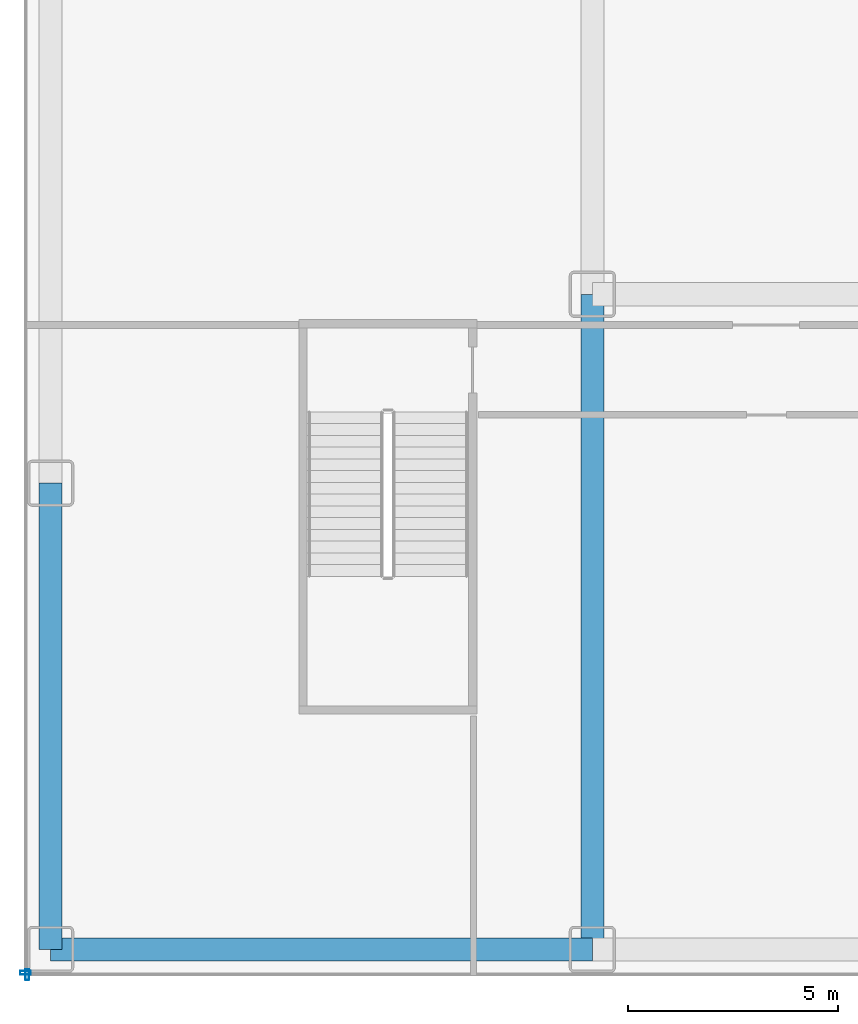
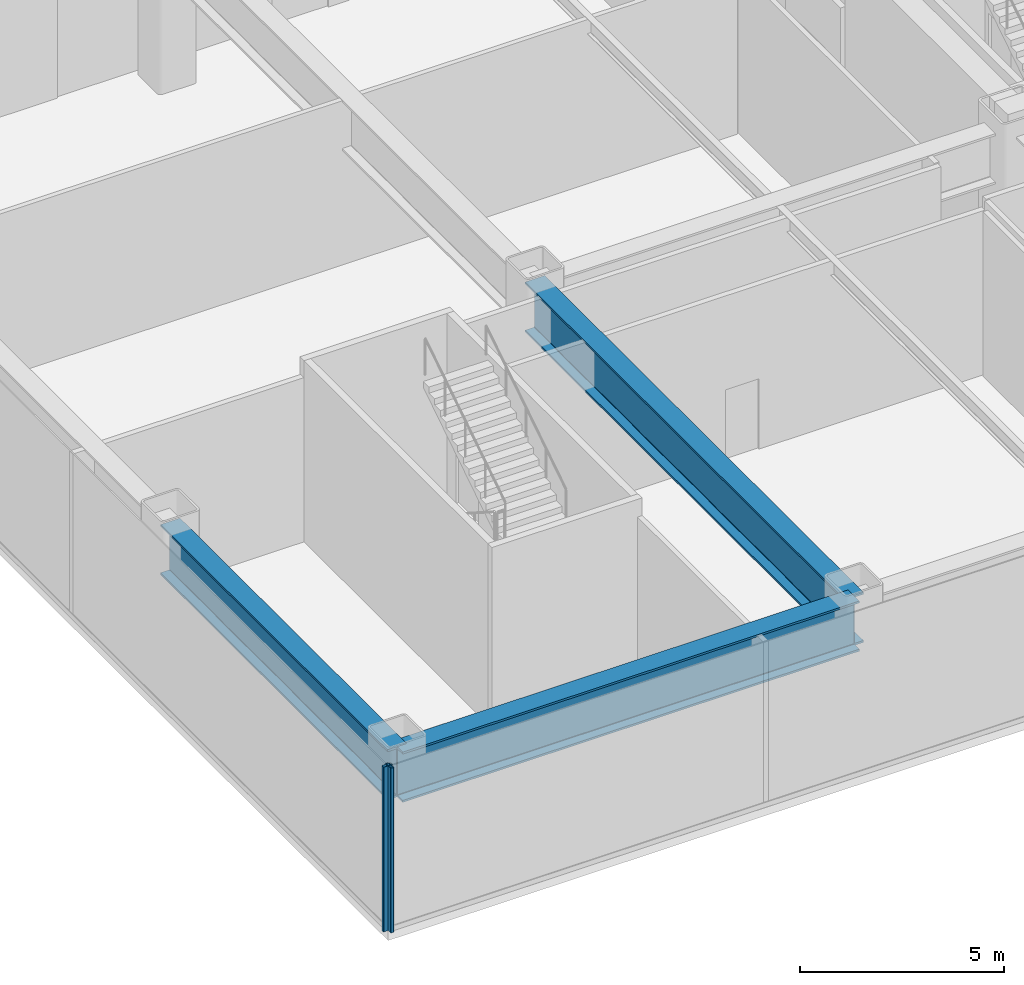
# One storey, part 2 of 24: 3 beams, 2 members, 2 elements without a shape of their own.
"""IFC4 building model written with IfcOpenShell, lengths in metres."""

from ifc_helpers import new_model, si_unit, direction, frame, origin, origin_2d, place, context, subcontext, project, spatial, hollow_rectangle, i_section, extrude, source, transform, mapped, material, layer, layer_set, material_profile, profile_set, type_object, element, aggregate, save


model = new_model("IFC4")

# Units and contexts
model_context = context("Model", 3, precision=1e-05, world=origin(), true_north=direction((0.0, 1.0)))
body_context = subcontext(model_context, "Body", "Model", "MODEL_VIEW")
ifc_project = project(units=[si_unit("LENGTHUNIT", "METRE"), si_unit("AREAUNIT", "SQUARE_METRE"), si_unit("VOLUMEUNIT", "CUBIC_METRE"), si_unit("PLANEANGLEUNIT", "RADIAN"), si_unit("MASSUNIT", "GRAM", prefix="KILO")], contexts=[model_context])

# Site, building, storey
site_placement = place(None, origin())
site = spatial("IfcSite", under=ifc_project, at=site_placement, CompositionType="ELEMENT")
building_placement = place(site_placement, origin())
building = spatial("IfcBuilding", under=site, at=building_placement, Name="Nefas-Gora Pilgrimage Tower", CompositionType="ELEMENT")
storey_placement = place(building_placement, frame((0.0, 0.0, 22.199951171875)))
storey = spatial("IfcBuildingStorey", under=building, at=storey_placement, Name="L04", CompositionType="ELEMENT", Elevation=22.199951171875)

# Beams
ifc_material_1 = material(Name="Steel S460", Category="steel")
ifc_material_profile_1 = material_profile(ifc_material_1, i_section(OverallWidth=0.550048828125, OverallDepth=1.5, WebThickness=0.031982421875, FlangeThickness=0.06005859375, FilletRadius=0.02392578125, at=origin_2d()), Name="WPG 1500x550x32x60")
ifc_profile_set_1 = profile_set([ifc_material_profile_1], Name="Steel S460")
beam_type_1 = type_object("IfcBeamType", Name="BM-TR-1500E", PredefinedType="BEAM", material=ifc_profile_set_1)
shared_shape_1 = source(origin(), body_context, "Body", "SweptSolid", [
    extrude(i_section(OverallWidth=0.550048828125, OverallDepth=1.5, WebThickness=0.031982421875, FlangeThickness=0.06005859375, FilletRadius=0.02392578125, at=origin_2d()), origin(), (0.0, 0.0, 1.0), 12.89990234375),
])
beam_1_placement = place(storey_placement, frame((-37.64990234375, -24.60009765625, 4.170166015625), z_axis=(1.0, 0.0, 0.0), x_axis=(0.0, 1.0, 0.0)))
element("IfcBeam", 1, at=beam_1_placement, inside=storey, type_object=beam_type_1, Name="L04 TB-01E beam", PredefinedType="BEAM", context=body_context, shape_type="MappedRepresentation", body=[
    mapped(shared_shape_1, transform((0.0, 0.0, 0.0), x_axis=(1.0, 0.0, 0.0), y_axis=(0.0, 1.0, 0.0), z_axis=(0.0, 0.0, 1.0), scale=1.0)),
])
shared_shape_2 = source(origin(), body_context, "Body", "SweptSolid", [
    extrude(i_section(OverallWidth=0.550048828125, OverallDepth=1.5, WebThickness=0.031982421875, FlangeThickness=0.06005859375, FilletRadius=0.02392578125, at=origin_2d()), origin(), (0.0, 0.0, 1.0), 11.10009765625),
])
beam_2_placement = place(storey_placement, frame((-37.64990234375, -24.60009765625, 4.170166015625), z_axis=(0.0, 1.0, 0.0), x_axis=(-1.0, 0.0, 0.0)))
element("IfcBeam", 2, at=beam_2_placement, inside=storey, type_object=beam_type_1, Name="L04 TB-01E beam", PredefinedType="BEAM", context=body_context, shape_type="MappedRepresentation", body=[
    mapped(shared_shape_2, transform((0.0, 0.0, 0.0), x_axis=(1.0, 0.0, 0.0), y_axis=(0.0, 1.0, 0.0), z_axis=(0.0, 0.0, 1.0), scale=1.0)),
])
ifc_material_profile_2 = material_profile(ifc_material_1, i_section(OverallWidth=0.550048828125, OverallDepth=1.5, WebThickness=0.031982421875, FlangeThickness=0.06005859375, FilletRadius=0.02392578125, at=origin_2d()), Name="WPG 1500x550x32x60")
ifc_profile_set_2 = profile_set([ifc_material_profile_2], Name="Steel S460")
beam_type_2 = type_object("IfcBeamType", Name="BM-TR-1500", PredefinedType="BEAM", material=ifc_profile_set_2)
shared_shape_3 = source(origin(), body_context, "Body", "SweptSolid", [
    extrude(i_section(OverallWidth=0.550048828125, OverallDepth=1.5, WebThickness=0.031982421875, FlangeThickness=0.06005859375, FilletRadius=0.02392578125, at=origin_2d()), origin(), (0.0, 0.0, 1.0), 15.60009765625),
])
beam_3_placement = place(storey_placement, frame((-24.75, -24.60009765625, 4.170166015625), z_axis=(0.0, 1.0, 0.0), x_axis=(-1.0, 0.0, 0.0)))
element("IfcBeam", 3, at=beam_3_placement, inside=storey, type_object=beam_type_2, Name="L04 TB-01 beam", PredefinedType="BEAM", context=body_context, shape_type="MappedRepresentation", body=[
    mapped(shared_shape_3, transform((0.0, 0.0, 0.0), x_axis=(1.0, 0.0, 0.0), y_axis=(0.0, 1.0, 0.0), z_axis=(0.0, 0.0, 1.0), scale=1.0)),
])

# Curtain wall, member
ifc_material_2 = material(Name="Dark ceramic-fritted solar-control aluminium-glass curtain wall", Category="aluminium")
ifc_layer = layer(ifc_material_2, 0.219970703125)
ifc_layer_set = layer_set([ifc_layer], Name="Dark ceramic-fritted solar-control aluminium-glass curtain wall")
curtain_wall_type = type_object("IfcCurtainWallType", Name="CW-SYS-1", PredefinedType="NOTDEFINED", material=ifc_layer_set)
curtain_wall_1_placement = place(storey_placement, origin())
curtain_wall_1 = element("IfcCurtainWall", 4, at=curtain_wall_1_placement, inside=storey, type_object=curtain_wall_type, Name="L04 Unitised Curtain Wall CW1", PredefinedType="NOTDEFINED")
ifc_material_3 = material(Name="Anodised architectural aluminium", Category="aluminium")
ifc_material_profile_3 = material_profile(ifc_material_3, hollow_rectangle(XDim=0.090087890625, YDim=0.260009765625, WallThickness=0.006103515625, InnerFilletRadius=0.006103515625, OuterFilletRadius=0.011962890625, at=origin_2d()), Name="ALU MULLION 90x260")
ifc_profile_set_3 = profile_set([ifc_material_profile_3], Name="Anodised architectural aluminium")
member_type = type_object("IfcMemberType", Name="CWM-MUL-1", PredefinedType="MULLION", material=ifc_profile_set_3)
shared_shape_4 = source(origin(), body_context, "Body", "SweptSolid", [
    extrude(hollow_rectangle(XDim=0.090087890625, YDim=0.260009765625, WallThickness=0.006103515625, InnerFilletRadius=0.006103515625, OuterFilletRadius=0.011962890625, at=origin_2d()), origin(), (0.0, 0.0, 1.0), 4.920166015625),
])
member_1_placement = place(storey_placement, frame((-38.25, -25.155029296875, 0.0), z_axis=(0.0, 0.0, 1.0), x_axis=(0.0, -1.0, 0.0)))
member_1 = element("IfcMember", 5, at=member_1_placement, type_object=member_type, Name="CW1 Mullion 3", PredefinedType="MULLION", context=body_context, shape_type="MappedRepresentation", body=[
    mapped(shared_shape_4, transform((0.0, 0.0, 0.0), x_axis=(1.0, 0.0, 0.0), y_axis=(0.0, 1.0, 0.0), z_axis=(0.0, 0.0, 1.0), scale=1.0)),
])
aggregate(curtain_wall_1, [member_1])

curtain_wall_2_placement = place(storey_placement, origin())
curtain_wall_2 = element("IfcCurtainWall", 6, at=curtain_wall_2_placement, inside=storey, type_object=curtain_wall_type, Name="L04 Unitised Curtain Wall CW1", PredefinedType="NOTDEFINED")
member_2_placement = place(storey_placement, frame((-38.205078125, -25.199951171875, 0.0), z_axis=(0.0, 0.0, 1.0), x_axis=(1.0, 0.0, 0.0)))
member_2 = element("IfcMember", 7, at=member_2_placement, type_object=member_type, Name="CW1 Mullion 1", PredefinedType="MULLION", context=body_context, shape_type="MappedRepresentation", body=[
    mapped(shared_shape_4, transform((0.0, 0.0, 0.0), x_axis=(1.0, 0.0, 0.0), y_axis=(0.0, 1.0, 0.0), z_axis=(0.0, 0.0, 1.0), scale=1.0)),
])
aggregate(curtain_wall_2, [member_2])

save(model, "model.ifc")
